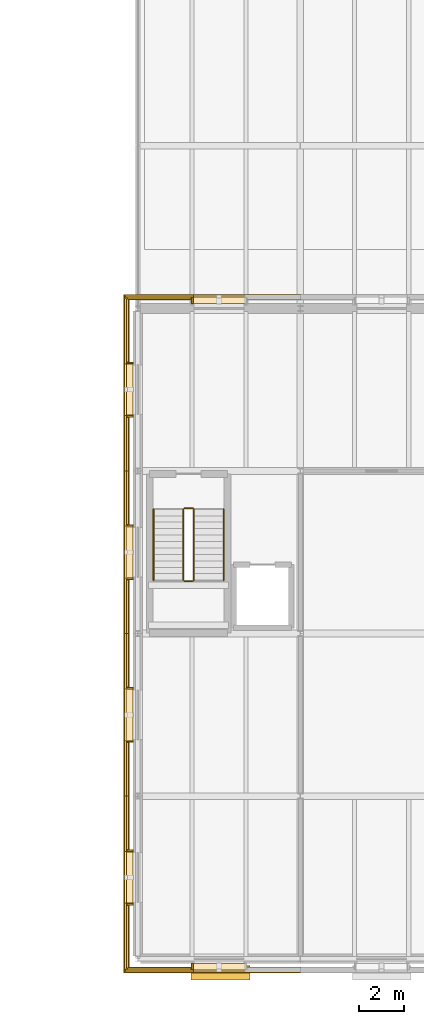
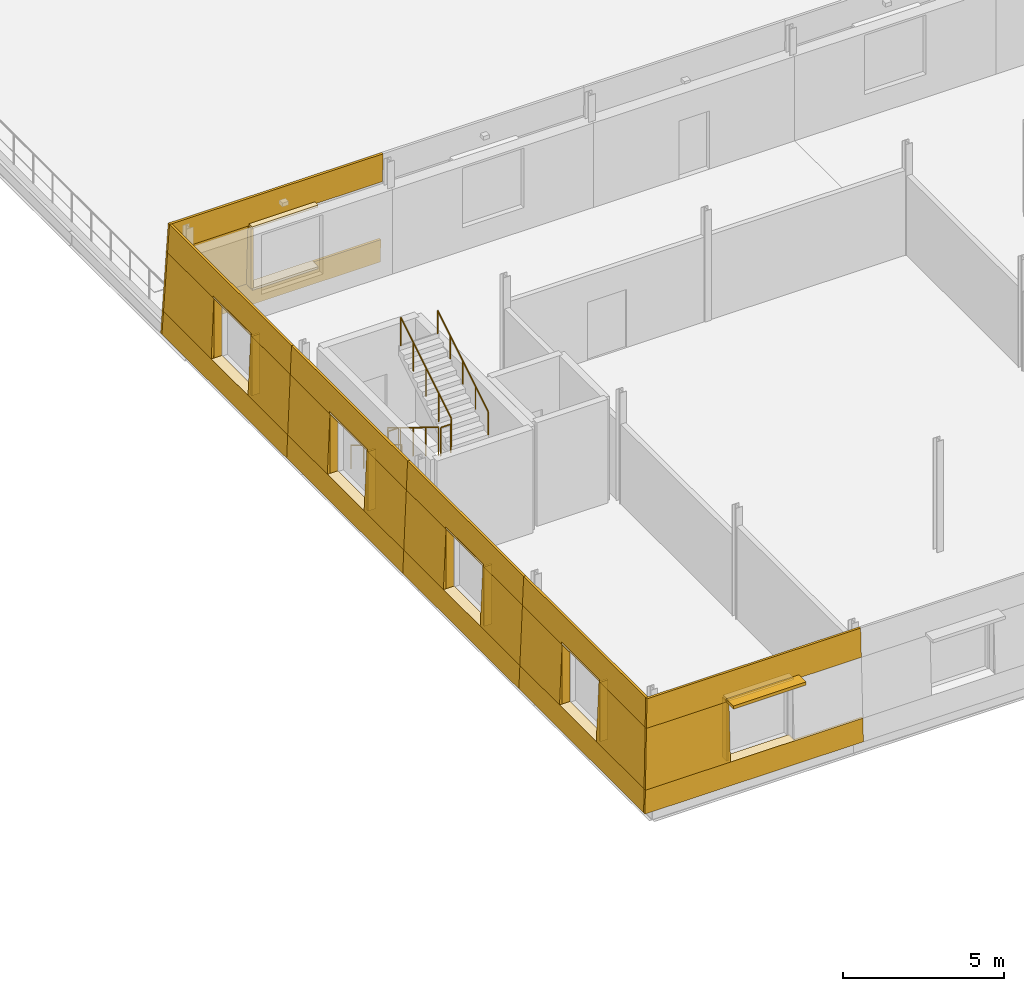
# One storey, part 97 of 115: 44 coverings, 6 railings, 1 shading device.
"""IFC4 building model written with IfcOpenShell, lengths in metres."""

from ifc_helpers import new_model, si_unit, direction, frame, origin, origin_2d, place, context, subcontext, project, spatial, polyline, rectangle, circle, outline, extrude, material, layer, layer_set, type_object, element, save


model = new_model("IFC4")

# Units and contexts
model_context = context("Model", 3, precision=1e-05, world=origin(), true_north=direction((0.0, 1.0)))
body_context = subcontext(model_context, "Body", "Model", "MODEL_VIEW")
ifc_project = project(units=[si_unit("LENGTHUNIT", "METRE"), si_unit("AREAUNIT", "SQUARE_METRE"), si_unit("VOLUMEUNIT", "CUBIC_METRE"), si_unit("PLANEANGLEUNIT", "RADIAN"), si_unit("MASSUNIT", "GRAM", prefix="KILO")], contexts=[model_context])

# Site, building, storey
site_placement = place(None, origin())
site = spatial("IfcSite", under=ifc_project, at=site_placement, CompositionType="ELEMENT")
building_placement = place(site_placement, origin())
building = spatial("IfcBuilding", under=site, at=building_placement, Name="Narikvali Park Central Library", CompositionType="ELEMENT")
storey_placement = place(building_placement, frame((0.0, 0.0, 10.199951171875)))
storey = spatial("IfcBuildingStorey", under=building, at=storey_placement, Name="L02", CompositionType="ELEMENT", Elevation=10.199951171875)

# Coverings
ifc_material_1 = material(Name="White Honed Limestone Cladding", Category="masonry")
ifc_layer_1 = layer(ifc_material_1, 0.0849609375, Name="White Honed Limestone Cladding")
ifc_layer_set_1 = layer_set([ifc_layer_1], Name="White Honed Limestone Cladding")
covering_type_1 = type_object("IfcCoveringType", Name="Battered White Limestone Facade Cladding Panel", PredefinedType="CLADDING", material=ifc_layer_set_1)
covering_1_placement = place(storey_placement, frame((121.77734375, -0.62255859375, 0.0), z_axis=(0.0, -0.999161980475, 0.040930877988), x_axis=(1.0, 0.0, 0.0)))
element("IfcCovering", 1, at=covering_1_placement, inside=storey, type_object=covering_type_1, Name="V6 L02 S Battered Limestone Spandrel B01", PredefinedType="CLADDING", context=body_context, shape_type="SweptSolid", body=[
    extrude(outline(polyline([(0.0, 0.0), (7.82275390625, 0.0), (7.82275390625, 0.8708469742675474), (0.03564453125, 0.8708469742675474), (0.0, 0.0)])), origin(), (0.0, 0.0, -1.0), 0.0849609375),
])
covering_2_placement = place(storey_placement, frame((121.905029296875, -0.494873046875, 3.1201171875), z_axis=(0.0, -0.99916372671, 0.040888228473), x_axis=(1.0, 0.0, 0.0)))
element("IfcCovering", 2, at=covering_2_placement, inside=storey, type_object=covering_type_1, Name="V6 L02 S Battered Limestone Lintel B01", PredefinedType="CLADDING", context=body_context, shape_type="SweptSolid", body=[
    extrude(outline(polyline([(0.0, 0.0), (7.695068359375, 0.0), (7.695068359375, 1.0807377765113397), (0.044189453125, 1.0807377765113397), (0.0, 0.0)])), origin(), (0.0, 0.0, -1.0), 0.0849609375),
])
covering_3_placement = place(storey_placement, frame((121.81298828125, -0.5869140625, 0.8701171875), z_axis=(0.0, -0.999164352475, 0.040872934124), x_axis=(1.0, 0.0, 0.0)))
element("IfcCovering", 3, at=covering_3_placement, inside=storey, type_object=covering_type_1, Name="V6 L02 S Battered Limestone Jamb Pier L B01", PredefinedType="CLADDING", context=body_context, shape_type="SweptSolid", body=[
    extrude(outline(polyline([(0.0, 0.0), (3.047119140625, 0.0), (3.047119140625, 2.2518817794363186), (0.092041015625, 2.2518817794363186), (0.0, 0.0)])), origin(), (0.0, 0.0, -1.0), 0.0849609375),
])
covering_4_placement = place(storey_placement, frame((129.60009765625, 29.422607421875, 0.0), z_axis=(0.0, 0.999161980475, 0.040930877988), x_axis=(-1.0, 0.0, 0.0)))
element("IfcCovering", 4, at=covering_4_placement, inside=storey, type_object=covering_type_1, Name="V6 L02 N Battered Limestone Spandrel B06", PredefinedType="CLADDING", context=body_context, shape_type="SweptSolid", body=[
    extrude(outline(polyline([(0.0, 0.0), (7.82275390625, 0.0), (7.787109375, 0.8708469742675474), (0.0, 0.8708469742675474), (0.0, 0.0)])), origin(), (0.0, 0.0, -1.0), 0.0849609375),
])
covering_5_placement = place(storey_placement, frame((129.60009765625, 29.294921875, 3.1201171875), z_axis=(0.0, 0.99916372671, 0.040888228473), x_axis=(-1.0, 0.0, 0.0)))
element("IfcCovering", 5, at=covering_5_placement, inside=storey, type_object=covering_type_1, Name="V6 L02 N Battered Limestone Lintel B06", PredefinedType="CLADDING", context=body_context, shape_type="SweptSolid", body=[
    extrude(outline(polyline([(0.0, 0.0), (7.695068359375, 0.0), (7.65087890625, 1.0807377765113397), (0.0, 1.0807377765113397), (0.0, 0.0)])), origin(), (0.0, 0.0, -1.0), 0.0849609375),
])
covering_6_placement = place(storey_placement, frame((124.860107421875, 29.386962890625, 0.8701171875), z_axis=(0.0, 0.999164352475, 0.040872934124), x_axis=(-1.0, 0.0, 0.0)))
element("IfcCovering", 6, at=covering_6_placement, inside=storey, type_object=covering_type_1, Name="V6 L02 N Battered Limestone Jamb Pier R B06", PredefinedType="CLADDING", context=body_context, shape_type="SweptSolid", body=[
    extrude(outline(polyline([(0.0, 0.0), (3.047119140625, 0.0), (2.955078125, 2.2518817794363186), (0.0, 2.2518817794363186), (0.0, 0.0)])), origin(), (0.0, 0.0, -1.0), 0.0849609375),
])
covering_7_placement = place(storey_placement, frame((121.77734375, 29.337646484375, 0.0), z_axis=(-0.999161980475, 0.0, 0.040930877988), x_axis=(0.0, -1.0, 0.0)))
element("IfcCovering", 7, at=covering_7_placement, inside=storey, type_object=covering_type_1, Name="V6 L02 W Battered Limestone Spandrel B01", PredefinedType="CLADDING", context=body_context, shape_type="SweptSolid", body=[
    extrude(outline(polyline([(0.0, 0.0), (7.737548828125, 0.0), (7.737548828125, 0.8708469742675473), (0.03564453125, 0.8708469742675473), (0.0, 0.0)])), origin(), (0.0, 0.0, -1.0), 0.0849609375),
])
covering_8_placement = place(storey_placement, frame((121.905029296875, 29.2099609375, 3.1201171875), z_axis=(-0.99916372671, 0.0, 0.040888228473), x_axis=(0.0, -1.0, 0.0)))
element("IfcCovering", 8, at=covering_8_placement, inside=storey, type_object=covering_type_1, Name="V6 L02 W Battered Limestone Lintel B01", PredefinedType="CLADDING", context=body_context, shape_type="SweptSolid", body=[
    extrude(outline(polyline([(0.0, 0.0), (7.60986328125, 0.0), (7.60986328125, 1.0807377765113395), (0.044189453125, 1.0807377765113395), (0.0, 0.0)])), origin(), (0.0, 0.0, -1.0), 0.0849609375),
])
covering_9_placement = place(storey_placement, frame((121.81298828125, 29.302001953125, 0.8701171875), z_axis=(-0.999164352475, 0.0, 0.040872934124), x_axis=(0.0, -1.0, 0.0)))
element("IfcCovering", 9, at=covering_9_placement, inside=storey, type_object=covering_type_1, Name="V6 L02 W Battered Limestone Jamb Pier L B01", PredefinedType="CLADDING", context=body_context, shape_type="SweptSolid", body=[
    extrude(outline(polyline([(0.0, 0.0), (2.9619140625, 0.0), (2.9619140625, 2.251881779436319), (0.092041015625, 2.251881779436319), (0.0, 0.0)])), origin(), (0.0, 0.0, -1.0), 0.0849609375),
])
covering_10_placement = place(storey_placement, frame((121.81298828125, 24.06005859375, 0.8701171875), z_axis=(-0.999164352475, 0.0, 0.040872934124), x_axis=(0.0, -1.0, 0.0)))
element("IfcCovering", 10, at=covering_10_placement, inside=storey, type_object=covering_type_1, Name="V6 L02 W Battered Limestone Jamb Pier R B01", PredefinedType="CLADDING", context=body_context, shape_type="SweptSolid", body=[
    extrude(outline(polyline([(0.0, 0.0), (2.4599609375, 0.0), (2.4599609375, 2.251881779436319), (0.0, 2.251881779436319), (0.0, 0.0)])), origin(), (0.0, 0.0, -1.0), 0.0849609375),
])
covering_11_placement = place(storey_placement, frame((121.77734375, 21.60009765625, 0.0), z_axis=(-0.999161980475, 0.0, 0.040930877988), x_axis=(0.0, -1.0, 0.0)))
element("IfcCovering", 11, at=covering_11_placement, inside=storey, type_object=covering_type_1, Name="V6 L02 W Battered Limestone Spandrel B02", PredefinedType="CLADDING", context=body_context, shape_type="SweptSolid", body=[
    extrude(outline(polyline([(0.0, 0.0), (7.2001953125, 0.0), (7.2001953125, 0.8708469742675474), (0.0, 0.8708469742675474), (0.0, 0.0)])), origin(), (0.0, 0.0, -1.0), 0.0849609375),
])
covering_12_placement = place(storey_placement, frame((121.905029296875, 21.60009765625, 3.1201171875), z_axis=(-0.99916372671, 0.0, 0.040888228473), x_axis=(0.0, -1.0, 0.0)))
element("IfcCovering", 12, at=covering_12_placement, inside=storey, type_object=covering_type_1, Name="V6 L02 W Battered Limestone Lintel B02", PredefinedType="CLADDING", context=body_context, shape_type="SweptSolid", body=[
    extrude(outline(polyline([(0.0, 0.0), (7.2001953125, 0.0), (7.2001953125, 1.0807377765113397), (0.0, 1.0807377765113397), (0.0, 0.0)])), origin(), (0.0, 0.0, -1.0), 0.0849609375),
])
for number, where, z_axis, x_axis, name in (
    (13, (121.81298828125, 21.60009765625, 0.8701171875), (-0.999164352475, 0.0, 0.040872934124), (0.0, -1.0, 0.0), "V6 L02 W Battered Limestone Jamb Pier L B02"),
    (14, (121.81298828125, 16.860107421875, 0.8701171875), (-0.999164352475, 0.0, 0.040872934124), (0.0, -1.0, 0.0), "V6 L02 W Battered Limestone Jamb Pier R B02"),
):
    element("IfcCovering", number, at=place(storey_placement, frame(where, z_axis=z_axis, x_axis=x_axis)), inside=storey, type_object=covering_type_1, Name=name, PredefinedType="CLADDING", context=body_context, shape_type="SweptSolid", body=[
        extrude(outline(polyline([(0.0, 0.0), (2.460205078125, 0.0), (2.460205078125, 2.2518817794363186), (0.0, 2.2518817794363186), (0.0, 0.0)])), origin(), (0.0, 0.0, -1.0), 0.0849609375),
    ])
covering_13_placement = place(storey_placement, frame((121.77734375, 14.39990234375, 0.0), z_axis=(-0.999161980475, 0.0, 0.040930877988), x_axis=(0.0, -1.0, 0.0)))
element("IfcCovering", 15, at=covering_13_placement, inside=storey, type_object=covering_type_1, Name="V6 L02 W Battered Limestone Spandrel B03", PredefinedType="CLADDING", context=body_context, shape_type="SweptSolid", body=[
    extrude(outline(polyline([(0.0, 0.0), (7.199951171875, 0.0), (7.199951171875, 0.8708469742675473), (0.0, 0.8708469742675473), (0.0, 0.0)])), origin(), (0.0, 0.0, -1.0), 0.0849609375),
])
covering_14_placement = place(storey_placement, frame((121.905029296875, 14.39990234375, 3.1201171875), z_axis=(-0.99916372671, 0.0, 0.040888228473), x_axis=(0.0, -1.0, 0.0)))
element("IfcCovering", 16, at=covering_14_placement, inside=storey, type_object=covering_type_1, Name="V6 L02 W Battered Limestone Lintel B03", PredefinedType="CLADDING", context=body_context, shape_type="SweptSolid", body=[
    extrude(outline(polyline([(0.0, 0.0), (7.199951171875, 0.0), (7.199951171875, 1.0807377765113397), (0.0, 1.0807377765113397), (0.0, 0.0)])), origin(), (0.0, 0.0, -1.0), 0.0849609375),
])
for number, where, z_axis, x_axis, name in (
    (17, (121.81298828125, 14.39990234375, 0.8701171875), (-0.999164352475, 0.0, 0.040872934124), (0.0, -1.0, 0.0), "V6 L02 W Battered Limestone Jamb Pier L B03"),
    (18, (121.81298828125, 9.659912109375, 0.8701171875), (-0.999164352475, 0.0, 0.040872934124), (0.0, -1.0, 0.0), "V6 L02 W Battered Limestone Jamb Pier R B03"),
):
    element("IfcCovering", number, at=place(storey_placement, frame(where, z_axis=z_axis, x_axis=x_axis)), inside=storey, type_object=covering_type_1, Name=name, PredefinedType="CLADDING", context=body_context, shape_type="SweptSolid", body=[
        extrude(outline(polyline([(0.0, 0.0), (2.4599609375, 0.0), (2.4599609375, 2.251881779436319), (0.0, 2.251881779436319), (0.0, 0.0)])), origin(), (0.0, 0.0, -1.0), 0.0849609375),
    ])
covering_15_placement = place(storey_placement, frame((121.77734375, 7.199951171875, 0.0), z_axis=(-0.999161980475, 0.0, 0.040930877988), x_axis=(0.0, -1.0, 0.0)))
element("IfcCovering", 19, at=covering_15_placement, inside=storey, type_object=covering_type_1, Name="V6 L02 W Battered Limestone Spandrel B04", PredefinedType="CLADDING", context=body_context, shape_type="SweptSolid", body=[
    extrude(outline(polyline([(0.0, 0.0), (7.737548828125, 0.0), (7.701904296875, 0.8708469742675473), (0.0, 0.8708469742675473), (0.0, 0.0)])), origin(), (0.0, 0.0, -1.0), 0.0849609375),
])
covering_16_placement = place(storey_placement, frame((121.905029296875, 7.199951171875, 3.1201171875), z_axis=(-0.99916372671, 0.0, 0.040888228473), x_axis=(0.0, -1.0, 0.0)))
element("IfcCovering", 20, at=covering_16_placement, inside=storey, type_object=covering_type_1, Name="V6 L02 W Battered Limestone Lintel B04", PredefinedType="CLADDING", context=body_context, shape_type="SweptSolid", body=[
    extrude(outline(polyline([(0.0, 0.0), (7.60986328125, 0.0), (7.565673828125, 1.0807377765113395), (0.0, 1.0807377765113395), (0.0, 0.0)])), origin(), (0.0, 0.0, -1.0), 0.0849609375),
])
covering_17_placement = place(storey_placement, frame((121.81298828125, 7.199951171875, 0.8701171875), z_axis=(-0.999164352475, 0.0, 0.040872934124), x_axis=(0.0, -1.0, 0.0)))
element("IfcCovering", 21, at=covering_17_placement, inside=storey, type_object=covering_type_1, Name="V6 L02 W Battered Limestone Jamb Pier L B04", PredefinedType="CLADDING", context=body_context, shape_type="SweptSolid", body=[
    extrude(outline(polyline([(0.0, 0.0), (2.4599609375, 0.0), (2.4599609375, 2.251881779436319), (0.0, 2.251881779436319), (0.0, 0.0)])), origin(), (0.0, 0.0, -1.0), 0.0849609375),
])
covering_18_placement = place(storey_placement, frame((121.81298828125, 2.4599609375, 0.8701171875), z_axis=(-0.999164352475, 0.0, 0.040872934124), x_axis=(0.0, -1.0, 0.0)))
element("IfcCovering", 22, at=covering_18_placement, inside=storey, type_object=covering_type_1, Name="V6 L02 W Battered Limestone Jamb Pier R B04", PredefinedType="CLADDING", context=body_context, shape_type="SweptSolid", body=[
    extrude(outline(polyline([(0.0, 0.0), (2.9619140625, 0.0), (2.869873046875, 2.251881779436319), (0.0, 2.251881779436319), (0.0, 0.0)])), origin(), (0.0, 0.0, -1.0), 0.0849609375),
])

# Shading device
ifc_material_2 = material(Name="Anodised Bronze Aluminium", Category="aluminium")
ifc_layer_2 = layer(ifc_material_2, 0.1201171875, Name="Anodised Bronze Aluminium")
ifc_layer_set_2 = layer_set([ifc_layer_2], Name="Anodised Bronze Aluminium")
shading_device_type = type_object("IfcShadingDeviceType", Name="Bronze Classical Cornice Sun Brise-Soleil 650", PredefinedType="SHUTTER", material=ifc_layer_set_2)
shading_device_placement = place(storey_placement, frame((126.06201171875, -0.614990234375, 3.119873046875), z_axis=(0.0, 0.0, 1.0), x_axis=(1.0, 0.0, 0.0)))
element("IfcShadingDevice", 23, at=shading_device_placement, inside=storey, type_object=shading_device_type, Name="V6 L02 Classical Bronze Brise-Soleil 01", PredefinedType="SHUTTER", context=body_context, shape_type="SweptSolid", body=[
    extrude(rectangle(XDim=2.60009765625, YDim=0.64990234375, at=origin_2d()), origin(), (0.0, 0.0, 1.0), 0.1201171875),
])

# Coverings
ifc_layer_3 = layer(ifc_material_1, 0.080078125, Name="White Honed Limestone Cladding")
ifc_layer_set_3 = layer_set([ifc_layer_3], Name="White Honed Limestone Cladding")
covering_type_2 = type_object("IfcCoveringType", Name="Deep Carved White Limestone Window Reveal", PredefinedType="CLADDING", material=ifc_layer_set_3)
covering_19_placement = place(storey_placement, frame((0.0, 0.0, 3.1201171875)))
element("IfcCovering", 24, at=covering_19_placement, inside=storey, type_object=covering_type_2, Name="Deep Stone Reveal Head V6-RVL-L02-S-B01", PredefinedType="CLADDING", context=body_context, shape_type="SweptSolid", body=[
    extrude(outline(polyline([(124.820068359375, -0.205078125), (127.179931640625, -0.205078125), (127.179931640625, -0.494873046875), (124.820068359375, -0.494873046875), (124.820068359375, -0.205078125)])), origin(), (0.0, 0.0, 1.0), 0.079833984375),
])
covering_20_placement = place(storey_placement, frame((0.0, 0.0, 0.7900390625)))
element("IfcCovering", 25, at=covering_20_placement, inside=storey, type_object=covering_type_2, Name="Deep Stone Reveal Sill V6-RVL-L02-S-B01", PredefinedType="CLADDING", context=body_context, shape_type="SweptSolid", body=[
    extrude(outline(polyline([(124.820068359375, -0.205078125), (127.179931640625, -0.205078125), (127.179931640625, -0.5869140625), (124.820068359375, -0.5869140625), (124.820068359375, -0.205078125)])), origin(), (0.0, 0.0, 1.0), 0.080078125),
])
covering_21_placement = place(storey_placement, frame((0.0, 0.0, 0.8701171875)))
element("IfcCovering", 26, at=covering_21_placement, inside=storey, type_object=covering_type_2, Name="Deep Stone Reveal Jamb L V6-RVL-L02-S-B01", PredefinedType="CLADDING", context=body_context, shape_type="SweptSolid", body=[
    extrude(outline(polyline([(124.780029296875, -0.205078125), (124.860107421875, -0.205078125), (124.860107421875, -0.494873046875), (124.780029296875, -0.494873046875), (124.780029296875, -0.205078125)])), origin(), (0.0, 0.0, 1.0), 2.25),
])
covering_22_placement = place(storey_placement, frame((0.0, 0.0, 3.1201171875)))
element("IfcCovering", 27, at=covering_22_placement, inside=storey, type_object=covering_type_2, Name="Deep Stone Reveal Head V6-RVL-L02-N-B06", PredefinedType="CLADDING", context=body_context, shape_type="SweptSolid", body=[
    extrude(outline(polyline([(127.179931640625, 29.0048828125), (124.820068359375, 29.0048828125), (124.820068359375, 29.294921875), (127.179931640625, 29.294921875), (127.179931640625, 29.0048828125)])), origin(), (0.0, 0.0, 1.0), 0.079833984375),
])
covering_23_placement = place(storey_placement, frame((0.0, 0.0, 0.7900390625)))
element("IfcCovering", 28, at=covering_23_placement, inside=storey, type_object=covering_type_2, Name="Deep Stone Reveal Sill V6-RVL-L02-N-B06", PredefinedType="CLADDING", context=body_context, shape_type="SweptSolid", body=[
    extrude(outline(polyline([(127.179931640625, 29.0048828125), (124.820068359375, 29.0048828125), (124.820068359375, 29.386962890625), (127.179931640625, 29.386962890625), (127.179931640625, 29.0048828125)])), origin(), (0.0, 0.0, 1.0), 0.080078125),
])
covering_24_placement = place(storey_placement, frame((0.0, 0.0, 0.8701171875)))
element("IfcCovering", 29, at=covering_24_placement, inside=storey, type_object=covering_type_2, Name="Deep Stone Reveal Jamb R V6-RVL-L02-N-B06", PredefinedType="CLADDING", context=body_context, shape_type="SweptSolid", body=[
    extrude(outline(polyline([(124.860107421875, 29.0048828125), (124.780029296875, 29.0048828125), (124.780029296875, 29.294921875), (124.860107421875, 29.294921875), (124.860107421875, 29.0048828125)])), origin(), (0.0, 0.0, 1.0), 2.25),
])
covering_25_placement = place(storey_placement, frame((0.0, 0.0, 3.1201171875)))
element("IfcCovering", 30, at=covering_25_placement, inside=storey, type_object=covering_type_2, Name="Deep Stone Reveal Head V6-RVL-L02-W-B01", PredefinedType="CLADDING", context=body_context, shape_type="SweptSolid", body=[
    extrude(outline(polyline([(122.195068359375, 26.3798828125), (122.195068359375, 24.02001953125), (121.905029296875, 24.02001953125), (121.905029296875, 26.3798828125), (122.195068359375, 26.3798828125)])), origin(), (0.0, 0.0, 1.0), 0.079833984375),
])
covering_26_placement = place(storey_placement, frame((0.0, 0.0, 0.7900390625)))
element("IfcCovering", 31, at=covering_26_placement, inside=storey, type_object=covering_type_2, Name="Deep Stone Reveal Sill V6-RVL-L02-W-B01", PredefinedType="CLADDING", context=body_context, shape_type="SweptSolid", body=[
    extrude(outline(polyline([(122.195068359375, 26.3798828125), (122.195068359375, 24.02001953125), (121.81298828125, 24.02001953125), (121.81298828125, 26.3798828125), (122.195068359375, 26.3798828125)])), origin(), (0.0, 0.0, 1.0), 0.080078125),
])
covering_27_placement = place(storey_placement, frame((0.0, 0.0, 0.8701171875)))
element("IfcCovering", 32, at=covering_27_placement, inside=storey, type_object=covering_type_2, Name="Deep Stone Reveal Jamb L V6-RVL-L02-W-B01", PredefinedType="CLADDING", context=body_context, shape_type="SweptSolid", body=[
    extrude(outline(polyline([(122.195068359375, 26.419921875), (122.195068359375, 26.340087890625), (121.905029296875, 26.340087890625), (121.905029296875, 26.419921875), (122.195068359375, 26.419921875)])), origin(), (0.0, 0.0, 1.0), 2.25),
])
covering_28_placement = place(storey_placement, frame((0.0, 0.0, 0.8701171875)))
element("IfcCovering", 33, at=covering_28_placement, inside=storey, type_object=covering_type_2, Name="Deep Stone Reveal Jamb R V6-RVL-L02-W-B01", PredefinedType="CLADDING", context=body_context, shape_type="SweptSolid", body=[
    extrude(outline(polyline([(122.195068359375, 24.06005859375), (122.195068359375, 23.97998046875), (121.905029296875, 23.97998046875), (121.905029296875, 24.06005859375), (122.195068359375, 24.06005859375)])), origin(), (0.0, 0.0, 1.0), 2.25),
])
covering_29_placement = place(storey_placement, frame((0.0, 0.0, 3.1201171875)))
element("IfcCovering", 34, at=covering_29_placement, inside=storey, type_object=covering_type_2, Name="Deep Stone Reveal Head V6-RVL-L02-W-B02", PredefinedType="CLADDING", context=body_context, shape_type="SweptSolid", body=[
    extrude(outline(polyline([(122.195068359375, 19.179931640625), (122.195068359375, 16.820068359375), (121.905029296875, 16.820068359375), (121.905029296875, 19.179931640625), (122.195068359375, 19.179931640625)])), origin(), (0.0, 0.0, 1.0), 0.079833984375),
])
covering_30_placement = place(storey_placement, frame((0.0, 0.0, 0.7900390625)))
element("IfcCovering", 35, at=covering_30_placement, inside=storey, type_object=covering_type_2, Name="Deep Stone Reveal Sill V6-RVL-L02-W-B02", PredefinedType="CLADDING", context=body_context, shape_type="SweptSolid", body=[
    extrude(outline(polyline([(122.195068359375, 19.179931640625), (122.195068359375, 16.820068359375), (121.81298828125, 16.820068359375), (121.81298828125, 19.179931640625), (122.195068359375, 19.179931640625)])), origin(), (0.0, 0.0, 1.0), 0.080078125),
])
covering_31_placement = place(storey_placement, frame((0.0, 0.0, 0.8701171875)))
element("IfcCovering", 36, at=covering_31_placement, inside=storey, type_object=covering_type_2, Name="Deep Stone Reveal Jamb L V6-RVL-L02-W-B02", PredefinedType="CLADDING", context=body_context, shape_type="SweptSolid", body=[
    extrude(outline(polyline([(122.195068359375, 19.219970703125), (122.195068359375, 19.139892578125), (121.905029296875, 19.139892578125), (121.905029296875, 19.219970703125), (122.195068359375, 19.219970703125)])), origin(), (0.0, 0.0, 1.0), 2.25),
])
covering_32_placement = place(storey_placement, frame((0.0, 0.0, 0.8701171875)))
element("IfcCovering", 37, at=covering_32_placement, inside=storey, type_object=covering_type_2, Name="Deep Stone Reveal Jamb R V6-RVL-L02-W-B02", PredefinedType="CLADDING", context=body_context, shape_type="SweptSolid", body=[
    extrude(outline(polyline([(122.195068359375, 16.860107421875), (122.195068359375, 16.780029296875), (121.905029296875, 16.780029296875), (121.905029296875, 16.860107421875), (122.195068359375, 16.860107421875)])), origin(), (0.0, 0.0, 1.0), 2.25),
])
covering_33_placement = place(storey_placement, frame((0.0, 0.0, 3.1201171875)))
element("IfcCovering", 38, at=covering_33_placement, inside=storey, type_object=covering_type_2, Name="Deep Stone Reveal Head V6-RVL-L02-W-B03", PredefinedType="CLADDING", context=body_context, shape_type="SweptSolid", body=[
    extrude(outline(polyline([(122.195068359375, 11.97998046875), (122.195068359375, 9.6201171875), (121.905029296875, 9.6201171875), (121.905029296875, 11.97998046875), (122.195068359375, 11.97998046875)])), origin(), (0.0, 0.0, 1.0), 0.079833984375),
])
covering_34_placement = place(storey_placement, frame((0.0, 0.0, 0.7900390625)))
element("IfcCovering", 39, at=covering_34_placement, inside=storey, type_object=covering_type_2, Name="Deep Stone Reveal Sill V6-RVL-L02-W-B03", PredefinedType="CLADDING", context=body_context, shape_type="SweptSolid", body=[
    extrude(outline(polyline([(122.195068359375, 11.97998046875), (122.195068359375, 9.6201171875), (121.81298828125, 9.6201171875), (121.81298828125, 11.97998046875), (122.195068359375, 11.97998046875)])), origin(), (0.0, 0.0, 1.0), 0.080078125),
])
covering_35_placement = place(storey_placement, frame((0.0, 0.0, 0.8701171875)))
element("IfcCovering", 40, at=covering_35_placement, inside=storey, type_object=covering_type_2, Name="Deep Stone Reveal Jamb L V6-RVL-L02-W-B03", PredefinedType="CLADDING", context=body_context, shape_type="SweptSolid", body=[
    extrude(outline(polyline([(122.195068359375, 12.02001953125), (122.195068359375, 11.93994140625), (121.905029296875, 11.93994140625), (121.905029296875, 12.02001953125), (122.195068359375, 12.02001953125)])), origin(), (0.0, 0.0, 1.0), 2.25),
])
covering_36_placement = place(storey_placement, frame((0.0, 0.0, 0.8701171875)))
element("IfcCovering", 41, at=covering_36_placement, inside=storey, type_object=covering_type_2, Name="Deep Stone Reveal Jamb R V6-RVL-L02-W-B03", PredefinedType="CLADDING", context=body_context, shape_type="SweptSolid", body=[
    extrude(outline(polyline([(122.195068359375, 9.659912109375), (122.195068359375, 9.580078125), (121.905029296875, 9.580078125), (121.905029296875, 9.659912109375), (122.195068359375, 9.659912109375)])), origin(), (0.0, 0.0, 1.0), 2.25),
])
covering_37_placement = place(storey_placement, frame((0.0, 0.0, 3.1201171875)))
element("IfcCovering", 42, at=covering_37_placement, inside=storey, type_object=covering_type_2, Name="Deep Stone Reveal Head V6-RVL-L02-W-B04", PredefinedType="CLADDING", context=body_context, shape_type="SweptSolid", body=[
    extrude(outline(polyline([(122.195068359375, 4.780029296875), (122.195068359375, 2.419921875), (121.905029296875, 2.419921875), (121.905029296875, 4.780029296875), (122.195068359375, 4.780029296875)])), origin(), (0.0, 0.0, 1.0), 0.079833984375),
])
covering_38_placement = place(storey_placement, frame((0.0, 0.0, 0.7900390625)))
element("IfcCovering", 43, at=covering_38_placement, inside=storey, type_object=covering_type_2, Name="Deep Stone Reveal Sill V6-RVL-L02-W-B04", PredefinedType="CLADDING", context=body_context, shape_type="SweptSolid", body=[
    extrude(outline(polyline([(122.195068359375, 4.780029296875), (122.195068359375, 2.419921875), (121.81298828125, 2.419921875), (121.81298828125, 4.780029296875), (122.195068359375, 4.780029296875)])), origin(), (0.0, 0.0, 1.0), 0.080078125),
])
covering_39_placement = place(storey_placement, frame((0.0, 0.0, 0.8701171875)))
element("IfcCovering", 44, at=covering_39_placement, inside=storey, type_object=covering_type_2, Name="Deep Stone Reveal Jamb L V6-RVL-L02-W-B04", PredefinedType="CLADDING", context=body_context, shape_type="SweptSolid", body=[
    extrude(outline(polyline([(122.195068359375, 4.820068359375), (122.195068359375, 4.739990234375), (121.905029296875, 4.739990234375), (121.905029296875, 4.820068359375), (122.195068359375, 4.820068359375)])), origin(), (0.0, 0.0, 1.0), 2.25),
])
covering_40_placement = place(storey_placement, frame((0.0, 0.0, 0.8701171875)))
element("IfcCovering", 45, at=covering_40_placement, inside=storey, type_object=covering_type_2, Name="Deep Stone Reveal Jamb R V6-RVL-L02-W-B04", PredefinedType="CLADDING", context=body_context, shape_type="SweptSolid", body=[
    extrude(outline(polyline([(122.195068359375, 2.4599609375), (122.195068359375, 2.3798828125), (121.905029296875, 2.3798828125), (121.905029296875, 2.4599609375), (122.195068359375, 2.4599609375)])), origin(), (0.0, 0.0, 1.0), 2.25),
])

# Railings
ifc_material_3 = material(Name="Brushed Stainless Steel S355", Category="steel")
ifc_layer_4 = layer(ifc_material_3, 0.044921875, Name="Brushed Stainless Steel S355")
ifc_layer_set_4 = layer_set([ifc_layer_4], Name="Brushed Stainless Steel S355")
railing_type_1 = type_object("IfcRailingType", Name="Stair Tubular Steel Handrail 900", PredefinedType="HANDRAIL", material=ifc_layer_set_4)
railing_1_placement = place(storey_placement, frame((123.10009765625, 19.89990234375, 0.175048828125)))
element("IfcRailing", 46, at=railing_1_placement, inside=storey, type_object=railing_type_1, Name="L02 ST-11 stair handrail 1", PredefinedType="HANDRAIL", context=body_context, shape_type="SweptSolid", body=[
    extrude(circle(Radius=0.02392578125, at=origin_2d()), frame((0.0, 0.0, 0.8759765625), z_axis=(0.0, -0.852166034122, 0.523271488128), x_axis=(1.0, 0.0, 0.0)), (0.0, 0.0, 1.0), 3.678955078125),
    extrude(circle(Radius=0.02099609375, at=origin_2d()), origin(), (0.0, 0.0, 1.0), 0.851806640625),
    extrude(circle(Radius=0.02099609375, at=origin_2d()), frame((0.0, -0.78369140625, 0.481201171875)), (0.0, 0.0, 1.0), 0.851806640625),
    extrude(circle(Radius=0.02099609375, at=origin_2d()), frame((0.0, -1.5673828125, 0.96240234375)), (0.0, 0.0, 1.0), 0.851806640625),
    extrude(circle(Radius=0.02099609375, at=origin_2d()), frame((0.0, -2.351318359375, 1.44384765625)), (0.0, 0.0, 1.0), 0.851806640625),
    extrude(circle(Radius=0.02099609375, at=origin_2d()), frame((0.0, -3.135009765625, 1.925048828125)), (0.0, 0.0, 1.0), 0.851806640625),
])
railing_2_placement = place(storey_placement, frame((126.199951171875, 16.764892578125, 2.275146484375)))
element("IfcRailing", 47, at=railing_2_placement, inside=storey, type_object=railing_type_1, Name="L02 ST-11 stair handrail 2", PredefinedType="HANDRAIL", context=body_context, shape_type="SweptSolid", body=[
    extrude(circle(Radius=0.02392578125, at=origin_2d()), frame((0.0, 0.0, 0.8759765625), z_axis=(0.0, 0.852195625947, 0.523223293744), x_axis=(-1.0, 0.0, 0.0)), (0.0, 0.0, 1.0), 3.6787109375),
    extrude(circle(Radius=0.02099609375, at=origin_2d()), origin(), (0.0, 0.0, 1.0), 0.851806640625),
    extrude(circle(Radius=0.02099609375, at=origin_2d()), frame((0.0, 0.78369140625, 0.481201171875)), (0.0, 0.0, 1.0), 0.851806640625),
    extrude(circle(Radius=0.02099609375, at=origin_2d()), frame((0.0, 1.5673828125, 0.96240234375)), (0.0, 0.0, 1.0), 0.851806640625),
    extrude(circle(Radius=0.02099609375, at=origin_2d()), frame((0.0, 2.351318359375, 1.443603515625)), (0.0, 0.0, 1.0), 0.851806640625),
    extrude(circle(Radius=0.02099609375, at=origin_2d()), frame((0.0, 3.135009765625, 1.9248046875)), (0.0, 0.0, 1.0), 0.851806640625),
])
ifc_material_4 = material(Name="Powder-Coated Steel S275", Category="steel")
ifc_layer_5 = layer(ifc_material_4, 0.050048828125, Name="Powder-Coated Steel S275")
ifc_layer_set_5 = layer_set([ifc_layer_5], Name="Powder-Coated Steel S275")
railing_type_2 = type_object("IfcRailingType", Name="Stair Well Steel Guardrail 1100", PredefinedType="GUARDRAIL", material=ifc_layer_set_5)
railing_3_placement = place(storey_placement, frame((124.419921875, 19.89990234375, 0.175048828125)))
element("IfcRailing", 48, at=railing_3_placement, inside=storey, type_object=railing_type_2, Name="L02 ST-11 stair guard 1", PredefinedType="GUARDRAIL", context=body_context, shape_type="SweptSolid", body=[
    extrude(circle(Radius=0.02392578125, at=origin_2d()), frame((0.0, 0.0, 1.076171875), z_axis=(0.0, -0.852166034122, 0.523271488128), x_axis=(1.0, 0.0, 0.0)), (0.0, 0.0, 1.0), 3.678955078125),
    extrude(circle(Radius=0.02099609375, at=origin_2d()), origin(), (0.0, 0.0, 1.0), 1.052001953125),
    extrude(circle(Radius=0.02099609375, at=origin_2d()), frame((0.0, -0.78369140625, 0.481201171875)), (0.0, 0.0, 1.0), 1.052001953125),
    extrude(circle(Radius=0.02099609375, at=origin_2d()), frame((0.0, -1.5673828125, 0.96240234375)), (0.0, 0.0, 1.0), 1.052001953125),
    extrude(circle(Radius=0.02099609375, at=origin_2d()), frame((0.0, -2.351318359375, 1.44384765625)), (0.0, 0.0, 1.0), 1.052001953125),
    extrude(circle(Radius=0.02099609375, at=origin_2d()), frame((0.0, -3.135009765625, 1.925048828125)), (0.0, 0.0, 1.0), 1.052001953125),
])
railing_4_placement = place(storey_placement, frame((124.469970703125, 16.715087890625, 2.10009765625)))
element("IfcRailing", 49, at=railing_4_placement, inside=storey, type_object=railing_type_2, Name="L02 ST-11 stair guard 2", PredefinedType="GUARDRAIL", context=body_context, shape_type="SweptSolid", body=[
    extrude(circle(Radius=0.02392578125, at=origin_2d()), frame((0.0, 0.0, 1.076171875), z_axis=(1.0, 0.0, 0.0), x_axis=(0.0, 1.0, 0.0)), (0.0, 0.0, 1.0), 0.360107421875),
    extrude(circle(Radius=0.02099609375, at=origin_2d()), origin(), (0.0, 0.0, 1.0), 1.052001953125),
    extrude(circle(Radius=0.02099609375, at=origin_2d()), frame((0.360107421875, 0.0, 0.0)), (0.0, 0.0, 1.0), 1.052001953125),
])
railing_5_placement = place(storey_placement, frame((124.8798828125, 16.764892578125, 2.275146484375)))
element("IfcRailing", 50, at=railing_5_placement, inside=storey, type_object=railing_type_2, Name="L02 ST-11 stair guard 3", PredefinedType="GUARDRAIL", context=body_context, shape_type="SweptSolid", body=[
    extrude(circle(Radius=0.02392578125, at=origin_2d()), frame((0.0, 0.0, 1.076171875), z_axis=(0.0, 0.852195625947, 0.523223293744), x_axis=(-1.0, 0.0, 0.0)), (0.0, 0.0, 1.0), 3.6787109375),
    extrude(circle(Radius=0.02099609375, at=origin_2d()), origin(), (0.0, 0.0, 1.0), 1.052001953125),
    extrude(circle(Radius=0.02099609375, at=origin_2d()), frame((0.0, 0.78369140625, 0.481201171875)), (0.0, 0.0, 1.0), 1.052001953125),
    extrude(circle(Radius=0.02099609375, at=origin_2d()), frame((0.0, 1.5673828125, 0.96240234375)), (0.0, 0.0, 1.0), 1.052001953125),
    extrude(circle(Radius=0.02099609375, at=origin_2d()), frame((0.0, 2.351318359375, 1.443603515625)), (0.0, 0.0, 1.0), 1.052001953125),
    extrude(circle(Radius=0.02099609375, at=origin_2d()), frame((0.0, 3.135009765625, 1.9248046875)), (0.0, 0.0, 1.0), 1.052001953125),
])
railing_6_placement = place(storey_placement, frame((124.469970703125, 19.949951171875, 0.0)))
element("IfcRailing", 51, at=railing_6_placement, inside=storey, type_object=railing_type_2, Name="L02 ST-11 stair guard 4", PredefinedType="GUARDRAIL", context=body_context, shape_type="SweptSolid", body=[
    extrude(circle(Radius=0.02392578125, at=origin_2d()), frame((0.0, 0.0, 1.076171875), z_axis=(1.0, 0.0, 0.0), x_axis=(0.0, 1.0, 0.0)), (0.0, 0.0, 1.0), 0.360107421875),
    extrude(circle(Radius=0.02099609375, at=origin_2d()), origin(), (0.0, 0.0, 1.0), 1.052001953125),
    extrude(circle(Radius=0.02099609375, at=origin_2d()), frame((0.360107421875, 0.0, 0.0)), (0.0, 0.0, 1.0), 1.052001953125),
])

save(model, "model.ifc")
